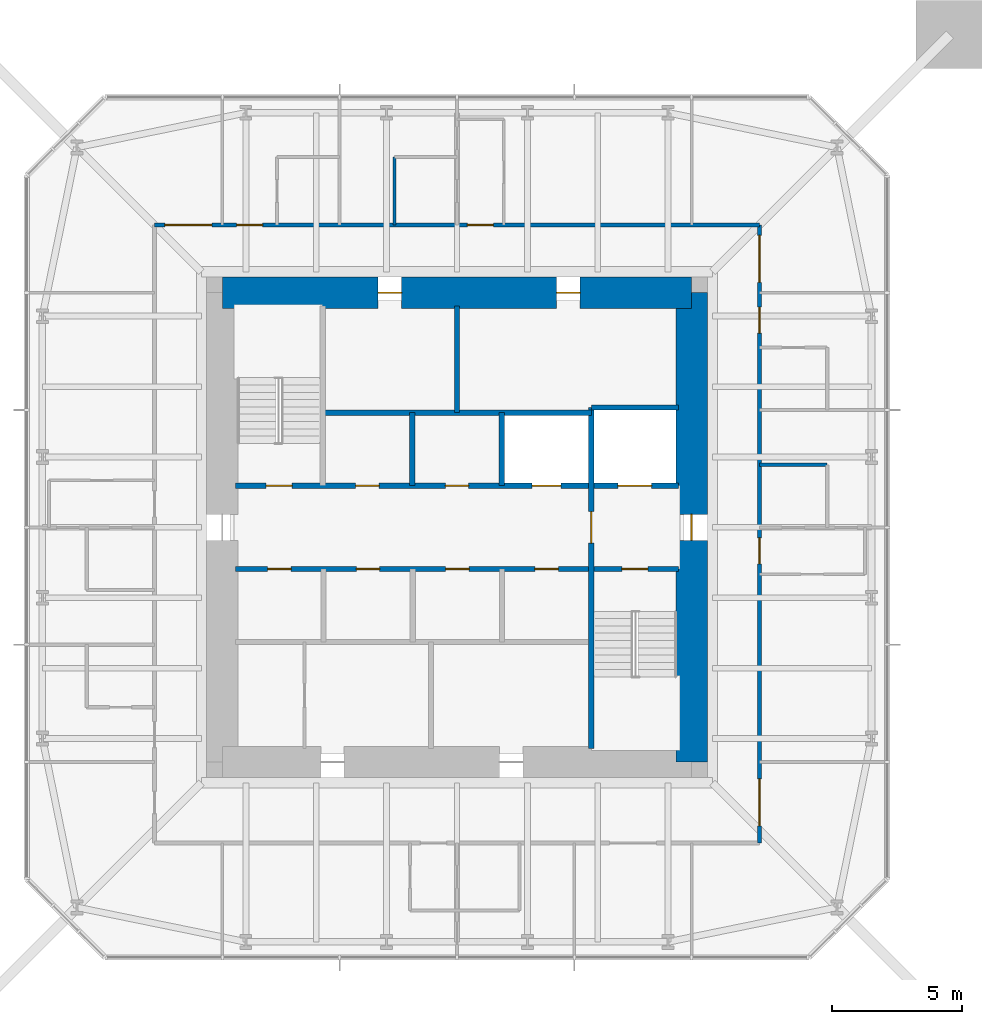
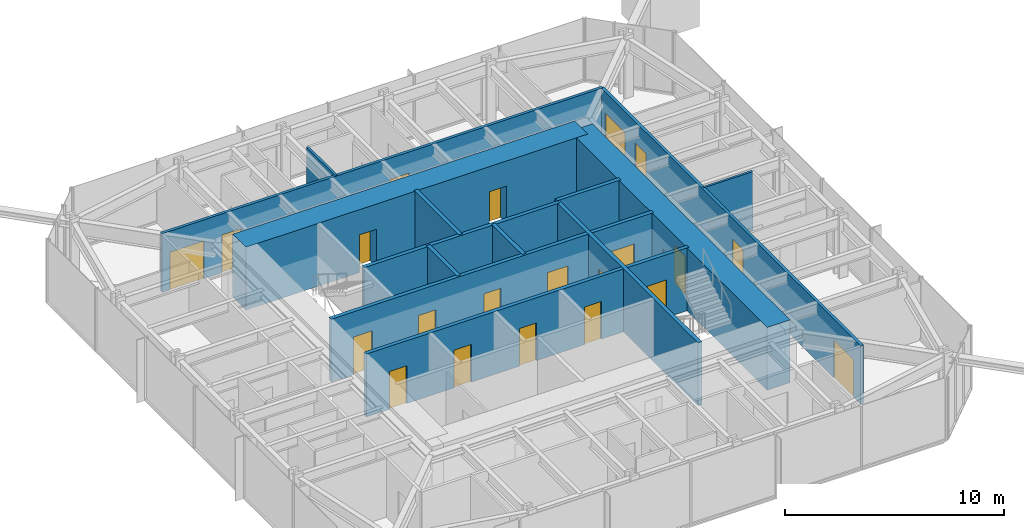
# One storey, part 7 of 9: 21 doors, 14 walls, 21 openings.
"""IFC4 building model written with IfcOpenShell, lengths in metres."""

from ifc_helpers import new_model, si_unit, direction, frame, frame_2d, origin, place, context, subcontext, project, spatial, rectangle, extrude, material, layer, layer_set, type_object, element, fill, save


model = new_model("IFC4")

# Units and contexts
model_context = context("Model", 3, precision=1e-05, world=origin(), true_north=direction((0.0, 1.0)))
body_context = subcontext(model_context, "Body", "Model", "MODEL_VIEW")
ifc_project = project(units=[si_unit("LENGTHUNIT", "METRE"), si_unit("AREAUNIT", "SQUARE_METRE"), si_unit("VOLUMEUNIT", "CUBIC_METRE"), si_unit("PLANEANGLEUNIT", "RADIAN"), si_unit("MASSUNIT", "GRAM", prefix="KILO")], contexts=[model_context])

# Site, building, storey
site_placement = place(None, origin())
site = spatial("IfcSite", under=ifc_project, at=site_placement, CompositionType="ELEMENT")
building_placement = place(site_placement, origin())
building = spatial("IfcBuilding", under=site, at=building_placement, Name="Iwan Alto Co-Living Towers", CompositionType="ELEMENT")
storey_placement = place(building_placement, frame((0.0, 0.0, 232.5)))
storey = spatial("IfcBuildingStorey", under=building, at=storey_placement, Name="L63", CompositionType="ELEMENT", Elevation=232.5)

# Wall, openings, doors
ifc_material_1 = material(Name="Gypsum board")
ifc_layer_1 = layer(ifc_material_1, 0.02490234375, Name="Board", Category="Finish")
ifc_material_2 = material(Name="Steel ASTM A1003 ST33H cold-formed studs", Category="steel")
ifc_layer_2 = layer(ifc_material_2, 0.10009765625, Name="Studs", Category="Framing")
ifc_layer_3 = layer(ifc_material_1, 0.02490234375, Name="Board", Category="Finish")
ifc_layer_set_1 = layer_set([ifc_layer_1, ifc_layer_2, ifc_layer_3], Name="CORRIDOR WALL 150")
wall_type_1 = type_object("IfcWallType", Name="CORRIDOR WALL 150", PredefinedType="PARTITIONING", material=ifc_layer_set_1)
wall_1_placement = place(storey_placement, frame((-11.60009765625, 11.60009765625, 0.0), z_axis=(0.0, 0.0, 1.0), x_axis=(1.0, 0.0, 0.0)))
wall_1 = element("IfcWall", 1, at=wall_1_placement, inside=storey, type_object=wall_type_1, Name="Partition L63", PredefinedType="PARTITIONING", context=body_context, shape_type="SweptSolid", body=[
    extrude(rectangle(XDim=23.2001953125, YDim=0.14990234375, at=frame_2d((11.60009765625, 0.0))), origin(), (0.0, 0.0, 1.0), 3.27001953125),
])
opening_1_placement = place(wall_1_placement, frame((12.0, 0.0, 0.0)))
opening_1 = element("IfcOpeningElement", 2, at=opening_1_placement, cuts=wall_1, Name="Opening D3", PredefinedType="OPENING", context=body_context, shape_type="SweptSolid", body=[
    extrude(rectangle(XDim=1.0, YDim=2.10009765625, at=frame_2d((0.5, 1.050048828125))), frame((0.0, 0.0849609375, 0.0), z_axis=(0.0, -1.0, 0.0), x_axis=(1.0, 0.0, 0.0)), (0.0, 0.0, 1.0), 0.169921875),
])
opening_2_placement = place(wall_1_placement, frame((3.14990234375, 0.0, 0.0)))
opening_2 = element("IfcOpeningElement", 3, at=opening_2_placement, cuts=wall_1, Name="Opening D3", PredefinedType="OPENING", context=body_context, shape_type="SweptSolid", body=[
    extrude(rectangle(XDim=1.0, YDim=2.10009765625, at=frame_2d((0.5, 1.050048828125))), frame((0.0, 0.0849609375, 0.0), z_axis=(0.0, -1.0, 0.0), x_axis=(1.0, 0.0, 0.0)), (0.0, 0.0, 1.0), 0.169921875),
])
opening_3_placement = place(wall_1_placement, frame((0.39990234375, 0.0, 0.0)))
opening_3 = element("IfcOpeningElement", 4, at=opening_3_placement, cuts=wall_1, Name="Opening D9", PredefinedType="OPENING", context=body_context, shape_type="SweptSolid", body=[
    extrude(rectangle(XDim=1.800048828125, YDim=2.10009765625, at=frame_2d((0.89990234375, 1.050048828125))), frame((0.0, 0.0849609375, 0.0), z_axis=(0.0, -1.0, 0.0), x_axis=(1.0, 0.0, 0.0)), (0.0, 0.0, 1.0), 0.169921875),
])
ifc_material_3 = material(Name="Steel frame with timber leaf", Category="steel")
door_type_1 = type_object("IfcDoorType", Name="FLAT ENTRANCE DOOR FD30S 1000X2100", OperationType="SINGLE_SWING_LEFT", PredefinedType="DOOR", material=ifc_material_3)
door_1_placement = place(opening_1_placement, origin())
door_1 = element("IfcDoor", 5, at=door_1_placement, inside=storey, type_object=door_type_1, Name="Apartment foyer door L63", OperationType="SINGLE_SWING_LEFT", OverallHeight=2.10009765625, OverallWidth=1.0, PredefinedType="DOOR", context=body_context, shape_type="SweptSolid", body=[
    extrude(rectangle(XDim=1.0, YDim=2.10009765625, at=frame_2d((0.5, 1.050048828125))), frame((0.0, 0.02490234375, 0.0), z_axis=(0.0, -1.0, 0.0), x_axis=(1.0, 0.0, 0.0)), (0.0, 0.0, 1.0), 0.050048828125),
])
fill(opening_1, door_1)
door_2_placement = place(opening_2_placement, origin())
door_2 = element("IfcDoor", 6, at=door_2_placement, inside=storey, type_object=door_type_1, Name="Studio door L63", OperationType="SINGLE_SWING_LEFT", OverallHeight=2.10009765625, OverallWidth=1.0, PredefinedType="DOOR", context=body_context, shape_type="SweptSolid", body=[
    extrude(rectangle(XDim=1.0, YDim=2.10009765625, at=frame_2d((0.5, 1.050048828125))), frame((0.0, 0.02490234375, 0.0), z_axis=(0.0, -1.0, 0.0), x_axis=(1.0, 0.0, 0.0)), (0.0, 0.0, 1.0), 0.050048828125),
])
fill(opening_2, door_2)
ifc_material_4 = material(Name="Steel frame with timber leaf", Category="steel")
door_type_2 = type_object("IfcDoorType", Name="LOUNGE DOOR FD30S 1800X2100", OperationType="DOUBLE_DOOR_SINGLE_SWING", PredefinedType="DOOR", material=ifc_material_4)
door_3_placement = place(opening_3_placement, origin())
door_3 = element("IfcDoor", 7, at=door_3_placement, inside=storey, type_object=door_type_2, Name="Courtyard lounge door L63", OperationType="DOUBLE_DOOR_SINGLE_SWING", OverallHeight=2.10009765625, OverallWidth=1.800048828125, PredefinedType="DOOR", context=body_context, shape_type="SweptSolid", body=[
    extrude(rectangle(XDim=1.800048828125, YDim=2.10009765625, at=frame_2d((0.89990234375, 1.050048828125))), frame((0.0, 0.02490234375, 0.0), z_axis=(0.0, -1.0, 0.0), x_axis=(1.0, 0.0, 0.0)), (0.0, 0.0, 1.0), 0.050048828125),
])
fill(opening_3, door_3)

wall_2_placement = place(storey_placement, frame((11.60009765625, -12.10009765625, 0.0), z_axis=(0.0, 0.0, 1.0), x_axis=(0.0, 1.0, 0.0)))
wall_2 = element("IfcWall", 8, at=wall_2_placement, inside=storey, type_object=wall_type_1, Name="Partition L63", PredefinedType="PARTITIONING", context=body_context, shape_type="SweptSolid", body=[
    extrude(rectangle(XDim=23.7001953125, YDim=0.14990234375, at=frame_2d((11.85009765625, 0.0))), origin(), (0.0, 0.0, 1.0), 3.27001953125),
])
opening_4_placement = place(wall_2_placement, frame((10.699951171875, 0.0, 0.0)))
opening_4 = element("IfcOpeningElement", 9, at=opening_4_placement, cuts=wall_2, Name="Opening D3", PredefinedType="OPENING", context=body_context, shape_type="SweptSolid", body=[
    extrude(rectangle(XDim=1.0, YDim=2.10009765625, at=frame_2d((0.5, 1.050048828125))), frame((0.0, 0.0849609375, 0.0), z_axis=(0.0, -1.0, 0.0), x_axis=(1.0, 0.0, 0.0)), (0.0, 0.0, 1.0), 0.169921875),
])
opening_5_placement = place(wall_2_placement, frame((19.550048828125, 0.0, 0.0)))
opening_5 = element("IfcOpeningElement", 10, at=opening_5_placement, cuts=wall_2, Name="Opening D3", PredefinedType="OPENING", context=body_context, shape_type="SweptSolid", body=[
    extrude(rectangle(XDim=1.0, YDim=2.10009765625, at=frame_2d((0.5, 1.050048828125))), frame((0.0, 0.0849609375, 0.0), z_axis=(0.0, -1.0, 0.0), x_axis=(1.0, 0.0, 0.0)), (0.0, 0.0, 1.0), 0.169921875),
])
opening_6_placement = place(wall_2_placement, frame((21.5, 0.0, 0.0)))
opening_6 = element("IfcOpeningElement", 11, at=opening_6_placement, cuts=wall_2, Name="Opening D9", PredefinedType="OPENING", context=body_context, shape_type="SweptSolid", body=[
    extrude(rectangle(XDim=1.800048828125, YDim=2.10009765625, at=frame_2d((0.89990234375, 1.050048828125))), frame((0.0, 0.0849609375, 0.0), z_axis=(0.0, -1.0, 0.0), x_axis=(1.0, 0.0, 0.0)), (0.0, 0.0, 1.0), 0.169921875),
])
opening_7_placement = place(wall_2_placement, frame((0.64990234375, 0.0, 0.0)))
opening_7 = element("IfcOpeningElement", 12, at=opening_7_placement, cuts=wall_2, Name="Opening D9", PredefinedType="OPENING", context=body_context, shape_type="SweptSolid", body=[
    extrude(rectangle(XDim=1.800048828125, YDim=2.10009765625, at=frame_2d((0.89990234375, 1.050048828125))), frame((0.0, 0.0849609375, 0.0), z_axis=(0.0, -1.0, 0.0), x_axis=(1.0, 0.0, 0.0)), (0.0, 0.0, 1.0), 0.169921875),
])
door_4_placement = place(opening_4_placement, frame((1.0, 0.0, 0.0), z_axis=(0.0, 0.0, 1.0), x_axis=(-1.0, 0.0, 0.0)))
door_4 = element("IfcDoor", 13, at=door_4_placement, inside=storey, type_object=door_type_1, Name="Apartment foyer door L63", OperationType="SINGLE_SWING_RIGHT", OverallHeight=2.10009765625, OverallWidth=1.0, PredefinedType="DOOR", context=body_context, shape_type="SweptSolid", body=[
    extrude(rectangle(XDim=1.0, YDim=2.10009765625, at=frame_2d((0.5, 1.050048828125))), frame((0.0, 0.02490234375, 0.0), z_axis=(0.0, -1.0, 0.0), x_axis=(1.0, 0.0, 0.0)), (0.0, 0.0, 1.0), 0.050048828125),
])
fill(opening_4, door_4)
door_5_placement = place(opening_5_placement, frame((1.0, 0.0, 0.0), z_axis=(0.0, 0.0, 1.0), x_axis=(-1.0, 0.0, 0.0)))
door_5 = element("IfcDoor", 14, at=door_5_placement, inside=storey, type_object=door_type_1, Name="Studio door L63", OperationType="SINGLE_SWING_RIGHT", OverallHeight=2.10009765625, OverallWidth=1.0, PredefinedType="DOOR", context=body_context, shape_type="SweptSolid", body=[
    extrude(rectangle(XDim=1.0, YDim=2.10009765625, at=frame_2d((0.5, 1.050048828125))), frame((0.0, 0.02490234375, 0.0), z_axis=(0.0, -1.0, 0.0), x_axis=(1.0, 0.0, 0.0)), (0.0, 0.0, 1.0), 0.050048828125),
])
fill(opening_5, door_5)
door_6_placement = place(opening_6_placement, frame((1.800048828125, 0.0, 0.0), z_axis=(0.0, 0.0, 1.0), x_axis=(-1.0, 0.0, 0.0)))
door_6 = element("IfcDoor", 15, at=door_6_placement, inside=storey, type_object=door_type_2, Name="Study lounge door L63", OperationType="DOUBLE_DOOR_SINGLE_SWING", OverallHeight=2.10009765625, OverallWidth=1.800048828125, PredefinedType="DOOR", context=body_context, shape_type="SweptSolid", body=[
    extrude(rectangle(XDim=1.800048828125, YDim=2.10009765625, at=frame_2d((0.89990234375, 1.050048828125))), frame((0.0, 0.02490234375, 0.0), z_axis=(0.0, -1.0, 0.0), x_axis=(1.0, 0.0, 0.0)), (0.0, 0.0, 1.0), 0.050048828125),
])
fill(opening_6, door_6)
door_7_placement = place(opening_7_placement, frame((1.800048828125, 0.0, 0.0), z_axis=(0.0, 0.0, 1.0), x_axis=(-1.0, 0.0, 0.0)))
door_7 = element("IfcDoor", 16, at=door_7_placement, inside=storey, type_object=door_type_2, Name="Courtyard lounge door L63", OperationType="DOUBLE_DOOR_SINGLE_SWING", OverallHeight=2.10009765625, OverallWidth=1.800048828125, PredefinedType="DOOR", context=body_context, shape_type="SweptSolid", body=[
    extrude(rectangle(XDim=1.800048828125, YDim=2.10009765625, at=frame_2d((0.89990234375, 1.050048828125))), frame((0.0, 0.02490234375, 0.0), z_axis=(0.0, -1.0, 0.0), x_axis=(1.0, 0.0, 0.0)), (0.0, 0.0, 1.0), 0.050048828125),
])
fill(opening_7, door_7)

ifc_material_5 = material(Name="Concrete f'c 70 MPa", Category="concrete")
ifc_layer_4 = layer(ifc_material_5, 0.199951171875)
ifc_layer_set_2 = layer_set([ifc_layer_4], Name="SHAFT WALL 200")
wall_type_2 = type_object("IfcWallType", Name="SHAFT WALL 200", PredefinedType="SOLIDWALL", material=ifc_layer_set_2)
wall_3_placement = place(storey_placement, frame((-8.489990234375, -1.60009765625, 0.0), z_axis=(0.0, 0.0, 1.0), x_axis=(1.0, 0.0, 0.0)))
wall_3 = element("IfcWall", 17, at=wall_3_placement, inside=storey, type_object=wall_type_2, Name="Shaft wall L63", PredefinedType="SOLIDWALL", context=body_context, shape_type="SweptSolid", body=[
    extrude(rectangle(XDim=16.97998046875, YDim=0.199951171875, at=frame_2d((8.489990234375, 0.0))), origin(), (0.0, 0.0, 1.0), 3.5),
])
opening_8_placement = place(wall_3_placement, frame((14.81005859375, 0.0, 0.0)))
opening_8 = element("IfcOpeningElement", 18, at=opening_8_placement, cuts=wall_3, Name="Opening D5", PredefinedType="OPENING", context=body_context, shape_type="SweptSolid", body=[
    extrude(rectangle(XDim=1.0, YDim=2.10009765625, at=frame_2d((0.5, 1.050048828125))), frame((0.0, 0.10986328125, 0.0), z_axis=(0.0, -1.0, 0.0), x_axis=(1.0, 0.0, 0.0)), (0.0, 0.0, 1.0), 0.219970703125),
])
opening_9_placement = place(wall_3_placement, frame((1.23193359375, 0.0, 0.0)))
opening_9 = element("IfcOpeningElement", 19, at=opening_9_placement, cuts=wall_3, Name="Opening D15", PredefinedType="OPENING", context=body_context, shape_type="SweptSolid", body=[
    extrude(rectangle(XDim=0.89990234375, YDim=2.10009765625, at=frame_2d((0.449951171875, 1.050048828125))), frame((0.0, 0.10986328125, 0.0), z_axis=(0.0, -1.0, 0.0), x_axis=(1.0, 0.0, 0.0)), (0.0, 0.0, 1.0), 0.219970703125),
])
opening_10_placement = place(wall_3_placement, frame((4.626953125, 0.0, 0.0)))
opening_10 = element("IfcOpeningElement", 20, at=opening_10_placement, cuts=wall_3, Name="Opening D15", PredefinedType="OPENING", context=body_context, shape_type="SweptSolid", body=[
    extrude(rectangle(XDim=0.89990234375, YDim=2.10009765625, at=frame_2d((0.449951171875, 1.050048828125))), frame((0.0, 0.10986328125, 0.0), z_axis=(0.0, -1.0, 0.0), x_axis=(1.0, 0.0, 0.0)), (0.0, 0.0, 1.0), 0.219970703125),
])
opening_11_placement = place(wall_3_placement, frame((8.052001953125, 0.0, 0.0)))
opening_11 = element("IfcOpeningElement", 21, at=opening_11_placement, cuts=wall_3, Name="Opening D15", PredefinedType="OPENING", context=body_context, shape_type="SweptSolid", body=[
    extrude(rectangle(XDim=0.89990234375, YDim=2.10009765625, at=frame_2d((0.449951171875, 1.050048828125))), frame((0.0, 0.10986328125, 0.0), z_axis=(0.0, -1.0, 0.0), x_axis=(1.0, 0.0, 0.0)), (0.0, 0.0, 1.0), 0.219970703125),
])
opening_12_placement = place(wall_3_placement, frame((11.47802734375, 0.0, 0.0)))
opening_12 = element("IfcOpeningElement", 22, at=opening_12_placement, cuts=wall_3, Name="Opening D15", PredefinedType="OPENING", context=body_context, shape_type="SweptSolid", body=[
    extrude(rectangle(XDim=0.89990234375, YDim=2.10009765625, at=frame_2d((0.449951171875, 1.050048828125))), frame((0.0, 0.10986328125, 0.0), z_axis=(0.0, -1.0, 0.0), x_axis=(1.0, 0.0, 0.0)), (0.0, 0.0, 1.0), 0.219970703125),
])
ifc_material_6 = material(Name="Steel frame with timber leaf", Category="steel")
door_type_3 = type_object("IfcDoorType", Name="CORE ROOM DOOR FD60S 900X2100", OperationType="SINGLE_SWING_LEFT", PredefinedType="DOOR", material=ifc_material_6)
door_8_placement = place(opening_9_placement, frame((0.89990234375, 0.0, 0.0), z_axis=(0.0, 0.0, 1.0), x_axis=(-1.0, 0.0, 0.0)))
door_8 = element("IfcDoor", 23, at=door_8_placement, inside=storey, type_object=door_type_3, Name="Vending and ice room door L63", OperationType="SINGLE_SWING_LEFT", OverallHeight=2.10009765625, OverallWidth=0.89990234375, PredefinedType="DOOR", context=body_context, shape_type="SweptSolid", body=[
    extrude(rectangle(XDim=0.89990234375, YDim=2.10009765625, at=frame_2d((0.449951171875, 1.050048828125))), frame((0.0, 0.02490234375, 0.0), z_axis=(0.0, -1.0, 0.0), x_axis=(1.0, 0.0, 0.0)), (0.0, 0.0, 1.0), 0.050048828125),
])
fill(opening_9, door_8)
door_9_placement = place(opening_10_placement, frame((0.89990234375, 0.0, 0.0), z_axis=(0.0, 0.0, 1.0), x_axis=(-1.0, 0.0, 0.0)))
door_9 = element("IfcDoor", 24, at=door_9_placement, inside=storey, type_object=door_type_3, Name="Linen store door L63", OperationType="SINGLE_SWING_RIGHT", OverallHeight=2.10009765625, OverallWidth=0.89990234375, PredefinedType="DOOR", context=body_context, shape_type="SweptSolid", body=[
    extrude(rectangle(XDim=0.89990234375, YDim=2.10009765625, at=frame_2d((0.449951171875, 1.050048828125))), frame((0.0, 0.02490234375, 0.0), z_axis=(0.0, -1.0, 0.0), x_axis=(1.0, 0.0, 0.0)), (0.0, 0.0, 1.0), 0.050048828125),
])
fill(opening_10, door_9)
door_10_placement = place(opening_11_placement, frame((0.89990234375, 0.0, 0.0), z_axis=(0.0, 0.0, 1.0), x_axis=(-1.0, 0.0, 0.0)))
door_10 = element("IfcDoor", 25, at=door_10_placement, inside=storey, type_object=door_type_3, Name="Linen and housekeeping store door L63", OperationType="SINGLE_SWING_RIGHT", OverallHeight=2.10009765625, OverallWidth=0.89990234375, PredefinedType="DOOR", context=body_context, shape_type="SweptSolid", body=[
    extrude(rectangle(XDim=0.89990234375, YDim=2.10009765625, at=frame_2d((0.449951171875, 1.050048828125))), frame((0.0, 0.02490234375, 0.0), z_axis=(0.0, -1.0, 0.0), x_axis=(1.0, 0.0, 0.0)), (0.0, 0.0, 1.0), 0.050048828125),
])
fill(opening_11, door_10)
door_11_placement = place(opening_12_placement, frame((0.89990234375, 0.0, 0.0), z_axis=(0.0, 0.0, 1.0), x_axis=(-1.0, 0.0, 0.0)))
door_11 = element("IfcDoor", 26, at=door_11_placement, inside=storey, type_object=door_type_3, Name="Housekeeping store door L63", OperationType="SINGLE_SWING_RIGHT", OverallHeight=2.10009765625, OverallWidth=0.89990234375, PredefinedType="DOOR", context=body_context, shape_type="SweptSolid", body=[
    extrude(rectangle(XDim=0.89990234375, YDim=2.10009765625, at=frame_2d((0.449951171875, 1.050048828125))), frame((0.0, 0.02490234375, 0.0), z_axis=(0.0, -1.0, 0.0), x_axis=(1.0, 0.0, 0.0)), (0.0, 0.0, 1.0), 0.050048828125),
])
fill(opening_12, door_11)
ifc_material_7 = material(Name="Steel frame with timber leaf", Category="steel")
door_type_4 = type_object("IfcDoorType", Name="STAIR DOOR FD120S 1000X2100", OperationType="SINGLE_SWING_LEFT", PredefinedType="DOOR", material=ifc_material_7)
door_12_placement = place(opening_8_placement, frame((1.0, 0.0, 0.0), z_axis=(0.0, 0.0, 1.0), x_axis=(-1.0, 0.0, 0.0)))
door_12 = element("IfcDoor", 27, at=door_12_placement, inside=storey, type_object=door_type_4, Name="Stair S2 door L63", OperationType="SINGLE_SWING_RIGHT", OverallHeight=2.10009765625, OverallWidth=1.0, PredefinedType="DOOR", context=body_context, shape_type="SweptSolid", body=[
    extrude(rectangle(XDim=1.0, YDim=2.10009765625, at=frame_2d((0.5, 1.050048828125))), frame((0.0, 0.02490234375, 0.0), z_axis=(0.0, -1.0, 0.0), x_axis=(1.0, 0.0, 0.0)), (0.0, 0.0, 1.0), 0.050048828125),
])
fill(opening_8, door_12)

wall_4_placement = place(storey_placement, frame((-8.489990234375, 1.60009765625, 0.0), z_axis=(0.0, 0.0, 1.0), x_axis=(1.0, 0.0, 0.0)))
wall_4 = element("IfcWall", 28, at=wall_4_placement, inside=storey, type_object=wall_type_2, Name="Shaft wall L63", PredefinedType="SOLIDWALL", context=body_context, shape_type="SweptSolid", body=[
    extrude(rectangle(XDim=16.97998046875, YDim=0.199951171875, at=frame_2d((8.489990234375, 0.0))), origin(), (0.0, 0.0, 1.0), 3.5),
])
opening_13_placement = place(wall_4_placement, frame((1.169921875, 0.0, 0.0)))
opening_13 = element("IfcOpeningElement", 29, at=opening_13_placement, cuts=wall_4, Name="Opening D5", PredefinedType="OPENING", context=body_context, shape_type="SweptSolid", body=[
    extrude(rectangle(XDim=1.0, YDim=2.10009765625, at=frame_2d((0.5, 1.050048828125))), frame((0.0, 0.10986328125, 0.0), z_axis=(0.0, -1.0, 0.0), x_axis=(1.0, 0.0, 0.0)), (0.0, 0.0, 1.0), 0.219970703125),
])
opening_14_placement = place(wall_4_placement, frame((4.60595703125, 0.0, 0.0)))
opening_14 = element("IfcOpeningElement", 30, at=opening_14_placement, cuts=wall_4, Name="Opening D15", PredefinedType="OPENING", context=body_context, shape_type="SweptSolid", body=[
    extrude(rectangle(XDim=0.89990234375, YDim=2.10009765625, at=frame_2d((0.449951171875, 1.050048828125))), frame((0.0, 0.10986328125, 0.0), z_axis=(0.0, -1.0, 0.0), x_axis=(1.0, 0.0, 0.0)), (0.0, 0.0, 1.0), 0.219970703125),
])
opening_15_placement = place(wall_4_placement, frame((8.0400390625, 0.0, 0.0)))
opening_15 = element("IfcOpeningElement", 31, at=opening_15_placement, cuts=wall_4, Name="Opening D15", PredefinedType="OPENING", context=body_context, shape_type="SweptSolid", body=[
    extrude(rectangle(XDim=0.89990234375, YDim=2.10009765625, at=frame_2d((0.449951171875, 1.050048828125))), frame((0.0, 0.10986328125, 0.0), z_axis=(0.0, -1.0, 0.0), x_axis=(1.0, 0.0, 0.0)), (0.0, 0.0, 1.0), 0.219970703125),
])
opening_16_placement = place(wall_4_placement, frame((11.3740234375, 0.0, 0.0)))
opening_16 = element("IfcOpeningElement", 32, at=opening_16_placement, cuts=wall_4, Name="Opening LD", PredefinedType="OPENING", context=body_context, shape_type="SweptSolid", body=[
    extrude(rectangle(XDim=1.10009765625, YDim=2.10009765625, at=frame_2d((0.550048828125, 1.050048828125))), frame((0.0, 0.10986328125, 0.0), z_axis=(0.0, -1.0, 0.0), x_axis=(1.0, 0.0, 0.0)), (0.0, 0.0, 1.0), 0.219970703125),
])
opening_17_placement = place(wall_4_placement, frame((14.659912109375, 0.0, 0.0)))
opening_17 = element("IfcOpeningElement", 33, at=opening_17_placement, cuts=wall_4, Name="Opening LD2", PredefinedType="OPENING", context=body_context, shape_type="SweptSolid", body=[
    extrude(rectangle(XDim=1.300048828125, YDim=2.10009765625, at=frame_2d((0.64990234375, 1.050048828125))), frame((0.0, 0.10986328125, 0.0), z_axis=(0.0, -1.0, 0.0), x_axis=(1.0, 0.0, 0.0)), (0.0, 0.0, 1.0), 0.219970703125),
])
door_13_placement = place(opening_14_placement, origin())
door_13 = element("IfcDoor", 34, at=door_13_placement, inside=storey, type_object=door_type_3, Name="Comms room door L63", OperationType="SINGLE_SWING_LEFT", OverallHeight=2.10009765625, OverallWidth=0.89990234375, PredefinedType="DOOR", context=body_context, shape_type="SweptSolid", body=[
    extrude(rectangle(XDim=0.89990234375, YDim=2.10009765625, at=frame_2d((0.449951171875, 1.050048828125))), frame((0.0, 0.02490234375, 0.0), z_axis=(0.0, -1.0, 0.0), x_axis=(1.0, 0.0, 0.0)), (0.0, 0.0, 1.0), 0.050048828125),
])
fill(opening_14, door_13)
door_14_placement = place(opening_15_placement, origin())
door_14 = element("IfcDoor", 35, at=door_14_placement, inside=storey, type_object=door_type_3, Name="Bulk store door L63", OperationType="SINGLE_SWING_LEFT", OverallHeight=2.10009765625, OverallWidth=0.89990234375, PredefinedType="DOOR", context=body_context, shape_type="SweptSolid", body=[
    extrude(rectangle(XDim=0.89990234375, YDim=2.10009765625, at=frame_2d((0.449951171875, 1.050048828125))), frame((0.0, 0.02490234375, 0.0), z_axis=(0.0, -1.0, 0.0), x_axis=(1.0, 0.0, 0.0)), (0.0, 0.0, 1.0), 0.050048828125),
])
fill(opening_15, door_14)
ifc_material_8 = material(Name="Steel frame with timber leaf", Category="steel")
door_type_5 = type_object("IfcDoorType", Name="LIFT LANDING DOOR 1100X2100", OperationType="DOUBLE_DOOR_SLIDING", PredefinedType="DOOR", material=ifc_material_8)
door_15_placement = place(opening_16_placement, origin())
door_15 = element("IfcDoor", 36, at=door_15_placement, inside=storey, type_object=door_type_5, Name="Lift P4-3 landing door L63", OperationType="DOUBLE_DOOR_SLIDING", OverallHeight=2.10009765625, OverallWidth=1.10009765625, PredefinedType="DOOR", context=body_context, shape_type="SweptSolid", body=[
    extrude(rectangle(XDim=1.10009765625, YDim=2.10009765625, at=frame_2d((0.550048828125, 1.050048828125))), frame((0.0, 0.02490234375, 0.0), z_axis=(0.0, -1.0, 0.0), x_axis=(1.0, 0.0, 0.0)), (0.0, 0.0, 1.0), 0.050048828125),
])
fill(opening_16, door_15)
ifc_material_9 = material(Name="Steel frame with timber leaf", Category="steel")
door_type_6 = type_object("IfcDoorType", Name="LIFT LANDING DOOR 1300X2100", OperationType="SLIDING_TO_LEFT", PredefinedType="DOOR", material=ifc_material_9)
door_16_placement = place(opening_17_placement, origin())
door_16 = element("IfcDoor", 37, at=door_16_placement, inside=storey, type_object=door_type_6, Name="Lift FL1 landing door L63", OperationType="SLIDING_TO_LEFT", OverallHeight=2.10009765625, OverallWidth=1.300048828125, PredefinedType="DOOR", context=body_context, shape_type="SweptSolid", body=[
    extrude(rectangle(XDim=1.300048828125, YDim=2.10009765625, at=frame_2d((0.64990234375, 1.050048828125))), frame((0.0, 0.02490234375, 0.0), z_axis=(0.0, -1.0, 0.0), x_axis=(1.0, 0.0, 0.0)), (0.0, 0.0, 1.0), 0.050048828125),
])
fill(opening_17, door_16)
door_17_placement = place(opening_13_placement, origin())
door_17 = element("IfcDoor", 38, at=door_17_placement, inside=storey, type_object=door_type_4, Name="Stair S1 door L63", OperationType="SINGLE_SWING_RIGHT", OverallHeight=2.10009765625, OverallWidth=1.0, PredefinedType="DOOR", context=body_context, shape_type="SweptSolid", body=[
    extrude(rectangle(XDim=1.0, YDim=2.10009765625, at=frame_2d((0.5, 1.050048828125))), frame((0.0, 0.02490234375, 0.0), z_axis=(0.0, -1.0, 0.0), x_axis=(1.0, 0.0, 0.0)), (0.0, 0.0, 1.0), 0.050048828125),
])
fill(opening_13, door_17)

# Walls
wall_5_placement = place(storey_placement, frame((-5.14990234375, 4.39990234375, 0.0), z_axis=(0.0, 0.0, 1.0), x_axis=(1.0, 0.0, 0.0)))
element("IfcWall", 39, at=wall_5_placement, inside=storey, type_object=wall_type_2, Name="Shaft wall L63", PredefinedType="SOLIDWALL", context=body_context, shape_type="SweptSolid", body=[
    extrude(rectangle(XDim=10.2998046875, YDim=0.199951171875, at=frame_2d((5.14990234375, 0.0))), origin(), (0.0, 0.0, 1.0), 3.5),
])
wall_6_placement = place(storey_placement, frame((5.14990234375, 4.60009765625, 0.0), z_axis=(0.0, 0.0, 1.0), x_axis=(1.0, 0.0, 0.0)))
element("IfcWall", 40, at=wall_6_placement, inside=storey, type_object=wall_type_2, Name="Shaft wall L63", PredefinedType="SOLIDWALL", context=body_context, shape_type="SweptSolid", body=[
    extrude(rectangle(XDim=3.340087890625, YDim=0.199951171875, at=frame_2d((1.669921875, 0.0))), origin(), (0.0, 0.0, 1.0), 3.5),
])

# Wall, opening, door
wall_7_placement = place(storey_placement, frame((5.14990234375, -8.489990234375, 0.0), z_axis=(0.0, 0.0, 1.0), x_axis=(0.0, 1.0, 0.0)))
wall_7 = element("IfcWall", 41, at=wall_7_placement, inside=storey, type_object=wall_type_2, Name="Shaft wall L63", PredefinedType="SOLIDWALL", context=body_context, shape_type="SweptSolid", body=[
    extrude(rectangle(XDim=13.090087890625, YDim=0.199951171875, at=frame_2d((6.544921875, 0.0))), origin(), (0.0, 0.0, 1.0), 3.5),
])
opening_18_placement = place(wall_7_placement, frame((7.889892578125, 0.0, 0.0)))
opening_18 = element("IfcOpeningElement", 42, at=opening_18_placement, cuts=wall_7, Name="Opening D6", PredefinedType="OPENING", context=body_context, shape_type="SweptSolid", body=[
    extrude(rectangle(XDim=1.199951171875, YDim=2.10009765625, at=frame_2d((0.60009765625, 1.050048828125))), frame((0.0, 0.10986328125, 0.0), z_axis=(0.0, -1.0, 0.0), x_axis=(1.0, 0.0, 0.0)), (0.0, 0.0, 1.0), 0.219970703125),
])
ifc_material_10 = material(Name="Steel frame with timber leaf", Category="steel")
door_type_7 = type_object("IfcDoorType", Name="LOBBY DOOR FD120S 1200X2100", OperationType="SINGLE_SWING_LEFT", PredefinedType="DOOR", material=ifc_material_10)
door_18_placement = place(opening_18_placement, frame((1.199951171875, 0.0, 0.0), z_axis=(0.0, 0.0, 1.0), x_axis=(-1.0, 0.0, 0.0)))
door_18 = element("IfcDoor", 43, at=door_18_placement, inside=storey, type_object=door_type_7, Name="Firefighting lobby door L63", OperationType="SINGLE_SWING_RIGHT", OverallHeight=2.10009765625, OverallWidth=1.199951171875, PredefinedType="DOOR", context=body_context, shape_type="SweptSolid", body=[
    extrude(rectangle(XDim=1.199951171875, YDim=2.10009765625, at=frame_2d((0.60009765625, 1.050048828125))), frame((0.0, 0.02490234375, 0.0), z_axis=(0.0, -1.0, 0.0), x_axis=(1.0, 0.0, 0.0)), (0.0, 0.0, 1.0), 0.050048828125),
])
fill(opening_18, door_18)

# Walls
wall_8_placement = place(storey_placement, frame((1.717041015625, 1.60009765625, 0.0), z_axis=(0.0, 0.0, 1.0), x_axis=(0.0, 1.0, 0.0)))
element("IfcWall", 44, at=wall_8_placement, inside=storey, type_object=wall_type_2, Name="Shaft wall L63", PredefinedType="SOLIDWALL", context=body_context, shape_type="SweptSolid", body=[
    extrude(rectangle(XDim=2.7998046875, YDim=0.199951171875, at=frame_2d((1.39990234375, 0.0))), origin(), (0.0, 0.0, 1.0), 3.5),
])
wall_9_placement = place(storey_placement, frame((0.0, 4.39990234375, 0.0), z_axis=(0.0, 0.0, 1.0), x_axis=(0.0, 1.0, 0.0)))
element("IfcWall", 45, at=wall_9_placement, inside=storey, type_object=wall_type_2, Name="Shaft wall L63", PredefinedType="SOLIDWALL", context=body_context, shape_type="SweptSolid", body=[
    extrude(rectangle(XDim=4.090087890625, YDim=0.199951171875, at=frame_2d((2.044921875, 0.0))), origin(), (0.0, 0.0, 1.0), 3.5),
])
wall_10_placement = place(storey_placement, frame((-1.717041015625, 1.60009765625, 0.0), z_axis=(0.0, 0.0, 1.0), x_axis=(0.0, 1.0, 0.0)))
element("IfcWall", 46, at=wall_10_placement, inside=storey, type_object=wall_type_2, Name="Shaft wall L63", PredefinedType="SOLIDWALL", context=body_context, shape_type="SweptSolid", body=[
    extrude(rectangle(XDim=2.7998046875, YDim=0.199951171875, at=frame_2d((1.39990234375, 0.0))), origin(), (0.0, 0.0, 1.0), 3.5),
])

# Wall, openings, doors
ifc_material_11 = material(Name="Concrete f'c 70 MPa", Category="concrete")
ifc_layer_5 = layer(ifc_material_11, 1.199951171875)
ifc_layer_set_3 = layer_set([ifc_layer_5], Name="T1 CORE WALL 1200")
wall_type_3 = type_object("IfcWallType", Name="T1 CORE WALL 1200", PredefinedType="SHEAR", material=ifc_layer_set_3)
wall_11_placement = place(storey_placement, frame((9.0, 9.0, 0.0), z_axis=(0.0, 0.0, 1.0), x_axis=(-1.0, 0.0, 0.0)))
wall_11 = element("IfcWall", 47, at=wall_11_placement, inside=storey, type_object=wall_type_3, Name="T1 core wall N L63", PredefinedType="SHEAR", context=body_context, shape_type="SweptSolid", body=[
    extrude(rectangle(XDim=18.0, YDim=1.199951171875, at=frame_2d((9.0, 0.0))), origin(), (0.0, 0.0, 1.0), 3.5),
])
opening_19_placement = place(wall_11_placement, frame((11.125, 0.0, 0.0)))
opening_19 = element("IfcOpeningElement", 48, at=opening_19_placement, cuts=wall_11, Name="Opening D8", PredefinedType="OPENING", context=body_context, shape_type="SweptSolid", body=[
    extrude(rectangle(XDim=0.89990234375, YDim=2.10009765625, at=frame_2d((0.449951171875, 1.050048828125))), frame((0.0, 0.60986328125, 0.0), z_axis=(0.0, -1.0, 0.0), x_axis=(1.0, 0.0, 0.0)), (0.0, 0.0, 1.0), 1.219970703125),
])
opening_20_placement = place(wall_11_placement, frame((4.27490234375, 0.0, 0.0)))
opening_20 = element("IfcOpeningElement", 49, at=opening_20_placement, cuts=wall_11, Name="Opening D8", PredefinedType="OPENING", context=body_context, shape_type="SweptSolid", body=[
    extrude(rectangle(XDim=0.89990234375, YDim=2.10009765625, at=frame_2d((0.449951171875, 1.050048828125))), frame((0.0, 0.60986328125, 0.0), z_axis=(0.0, -1.0, 0.0), x_axis=(1.0, 0.0, 0.0)), (0.0, 0.0, 1.0), 1.219970703125),
])
ifc_material_12 = material(Name="Steel frame with timber leaf", Category="steel")
door_type_8 = type_object("IfcDoorType", Name="RISER DOOR FD120 900X2100", OperationType="SINGLE_SWING_LEFT", PredefinedType="DOOR", material=ifc_material_12)
door_19_placement = place(opening_19_placement, origin())
door_19 = element("IfcDoor", 50, at=door_19_placement, inside=storey, type_object=door_type_8, Name="Electrical riser core door L63", OperationType="SINGLE_SWING_RIGHT", OverallHeight=2.10009765625, OverallWidth=0.89990234375, PredefinedType="DOOR", context=body_context, shape_type="SweptSolid", body=[
    extrude(rectangle(XDim=0.89990234375, YDim=2.10009765625, at=frame_2d((0.449951171875, 1.050048828125))), frame((0.0, 0.02490234375, 0.0), z_axis=(0.0, -1.0, 0.0), x_axis=(1.0, 0.0, 0.0)), (0.0, 0.0, 1.0), 0.050048828125),
])
fill(opening_19, door_19)
door_20_placement = place(opening_20_placement, origin())
door_20 = element("IfcDoor", 51, at=door_20_placement, inside=storey, type_object=door_type_8, Name="Water and drainage riser core door L63", OperationType="SINGLE_SWING_RIGHT", OverallHeight=2.10009765625, OverallWidth=0.89990234375, PredefinedType="DOOR", context=body_context, shape_type="SweptSolid", body=[
    extrude(rectangle(XDim=0.89990234375, YDim=2.10009765625, at=frame_2d((0.449951171875, 1.050048828125))), frame((0.0, 0.02490234375, 0.0), z_axis=(0.0, -1.0, 0.0), x_axis=(1.0, 0.0, 0.0)), (0.0, 0.0, 1.0), 0.050048828125),
])
fill(opening_20, door_20)

# Wall, opening, door
wall_12_placement = place(storey_placement, frame((9.0, -9.0, 0.0), z_axis=(0.0, 0.0, 1.0), x_axis=(0.0, 1.0, 0.0)))
wall_12 = element("IfcWall", 52, at=wall_12_placement, inside=storey, type_object=wall_type_3, Name="T1 core wall E L63", PredefinedType="SHEAR", context=body_context, shape_type="SweptSolid", body=[
    extrude(rectangle(XDim=18.0, YDim=1.199951171875, at=frame_2d((9.0, 0.0))), origin(), (0.0, 0.0, 1.0), 3.5),
])
opening_21_placement = place(wall_12_placement, frame((8.5, 0.0, 0.0)))
opening_21 = element("IfcOpeningElement", 53, at=opening_21_placement, cuts=wall_12, Name="Opening D7", PredefinedType="OPENING", context=body_context, shape_type="SweptSolid", body=[
    extrude(rectangle(XDim=1.0, YDim=2.10009765625, at=frame_2d((0.5, 1.050048828125))), frame((0.0, 0.60986328125, 0.0), z_axis=(0.0, -1.0, 0.0), x_axis=(1.0, 0.0, 0.0)), (0.0, 0.0, 1.0), 1.219970703125),
])
ifc_material_13 = material(Name="Steel frame with timber leaf", Category="steel")
door_type_9 = type_object("IfcDoorType", Name="CORE DOOR FD120S 1000X2100", OperationType="SINGLE_SWING_LEFT", PredefinedType="DOOR", material=ifc_material_13)
door_21_placement = place(opening_21_placement, origin())
door_21 = element("IfcDoor", 54, at=door_21_placement, inside=storey, type_object=door_type_9, Name="Firefighting lobby core door L63", OperationType="SINGLE_SWING_LEFT", OverallHeight=2.10009765625, OverallWidth=1.0, PredefinedType="DOOR", context=body_context, shape_type="SweptSolid", body=[
    extrude(rectangle(XDim=1.0, YDim=2.10009765625, at=frame_2d((0.5, 1.050048828125))), frame((0.0, 0.02490234375, 0.0), z_axis=(0.0, -1.0, 0.0), x_axis=(1.0, 0.0, 0.0)), (0.0, 0.0, 1.0), 0.050048828125),
])
fill(opening_21, door_21)

# Walls
ifc_material_14 = material(Name="Cement board")
ifc_layer_6 = layer(ifc_material_14, 0.012451171875, Name="Board", Category="Finish")
ifc_layer_7 = layer(ifc_material_2, 0.094970703125, Name="Studs", Category="Framing")
ifc_layer_8 = layer(ifc_material_14, 0.012451171875, Name="Board", Category="Finish")
ifc_layer_set_4 = layer_set([ifc_layer_6, ifc_layer_7, ifc_layer_8], Name="WET AREA PARTITION 120")
wall_type_4 = type_object("IfcWallType", Name="WET AREA PARTITION 120", PredefinedType="PARTITIONING", material=ifc_layer_set_4)
for number, where, z_axis, x_axis, name in (
    (55, (11.60009765625, 2.39990234375, 0.0), (0.0, 0.0, 1.0), (1.0, 0.0, 0.0), "Partition L63"),
    (56, (-2.39990234375, 11.60009765625, 0.0), (0.0, 0.0, 1.0), (0.0, 1.0, 0.0), "Partition L63"),
):
    element("IfcWall", number, at=place(storey_placement, frame(where, z_axis=z_axis, x_axis=x_axis)), inside=storey, type_object=wall_type_4, Name=name, PredefinedType="PARTITIONING", context=body_context, shape_type="SweptSolid", body=[
        extrude(rectangle(XDim=2.599853515625, YDim=0.1201171875, at=frame_2d((1.2998046875, 0.0))), origin(), (0.0, 0.0, 1.0), 3.27001953125),
    ])

save(model, "model.ifc")
